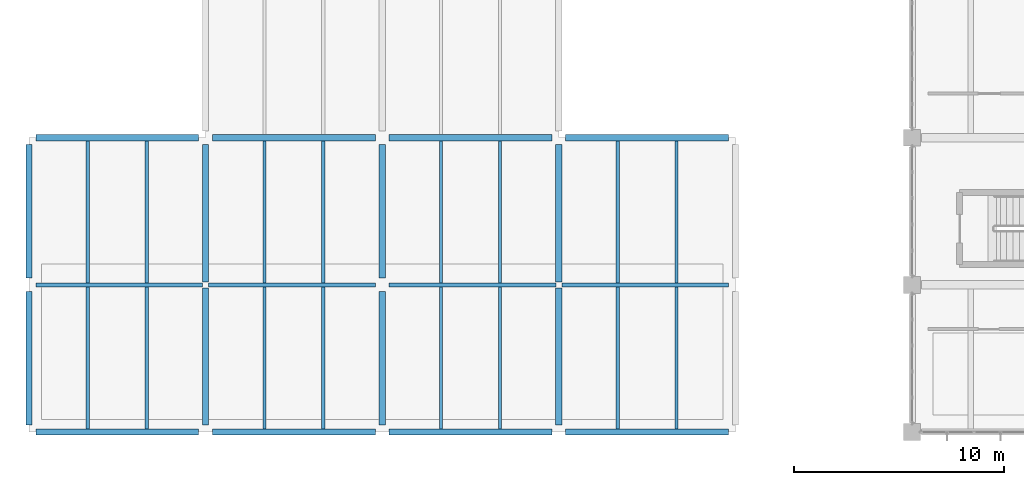
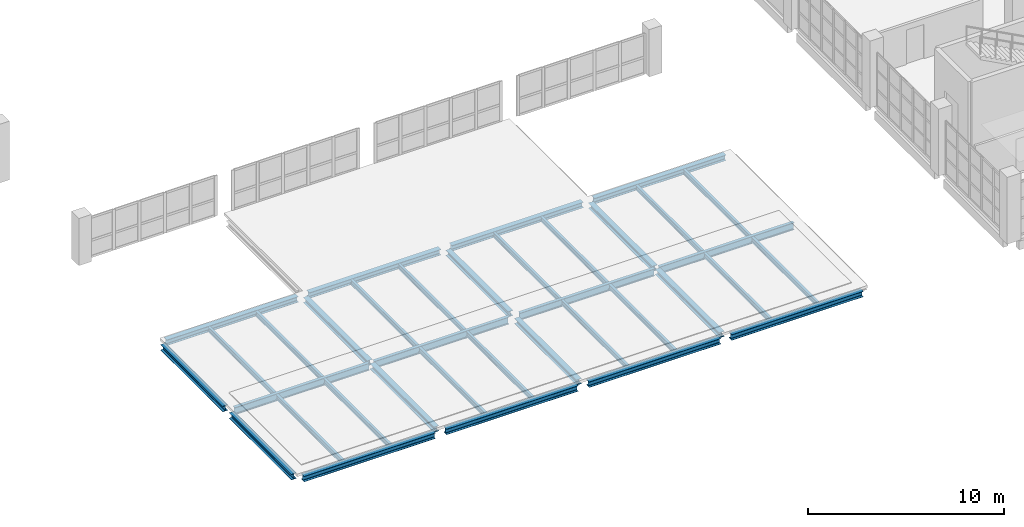
# One storey, part 8 of 177: 36 beams.
"""IFC4 building model written with IfcOpenShell, lengths in metres."""

from ifc_helpers import new_model, si_unit, direction, frame, origin, origin_2d, place, context, subcontext, project, spatial, i_section, extrude, material, material_profile, profile_set, type_object, element, save


model = new_model("IFC4")

# Units and contexts
model_context = context("Model", 3, precision=1e-05, world=origin(), true_north=direction((0.0, 1.0)))
body_context = subcontext(model_context, "Body", "Model", "MODEL_VIEW")
ifc_project = project(units=[si_unit("LENGTHUNIT", "METRE"), si_unit("AREAUNIT", "SQUARE_METRE"), si_unit("VOLUMEUNIT", "CUBIC_METRE"), si_unit("PLANEANGLEUNIT", "RADIAN"), si_unit("MASSUNIT", "GRAM", prefix="KILO"), si_unit("THERMODYNAMICTEMPERATUREUNIT", "KELVIN"), si_unit("POWERUNIT", "WATT")], contexts=[model_context])

# Site, building, storey
site_placement = place(None, origin())
site = spatial("IfcSite", under=ifc_project, at=site_placement, CompositionType="ELEMENT")
building_placement = place(site_placement, origin())
building = spatial("IfcBuilding", under=site, at=building_placement, Name="Mavoryth Pier Ferry Terminal", CompositionType="ELEMENT")
storey_placement = place(building_placement, frame((0.0, 0.0, 5.43994140625)))
storey = spatial("IfcBuildingStorey", under=building, at=storey_placement, Name="L01", CompositionType="ELEMENT", Elevation=5.43994140625)

# Beams
ifc_material = material(Name="Steel S355J2", Category="steel")
ifc_material_profile_1 = material_profile(ifc_material, i_section(OverallWidth=0.300048828125, OverallDepth=0.330078125, WebThickness=0.009521484375, FlangeThickness=0.0166015625, FilletRadius=0.027099609375, at=origin_2d()), Name="HEA 340", Category="steel")
ifc_profile_set_1 = profile_set([ifc_material_profile_1], Name="Steel S355J2 - HEA 340")
beam_type_1 = type_object("IfcBeamType", Name="Beam-Steel-HEA340", PredefinedType="BEAM", material=ifc_profile_set_1)
for number, where, z_axis, x_axis, name in (
    (1, (8.39990234375, 0.324951171875, -0.324951171875), (0.0, 1.0, 0.0), (-1.0, 0.0, 0.0), "Beam B01-SB05-0015"),
    (2, (8.39990234375, 7.139892578125, -0.324951171875), (0.0, 1.0, 0.0), (-1.0, 0.0, 0.0), "Beam B01-SB05-0016"),
):
    element("IfcBeam", number, at=place(storey_placement, frame(where, z_axis=z_axis, x_axis=x_axis)), inside=storey, type_object=beam_type_1, Name=name, PredefinedType="BEAM", context=body_context, shape_type="SweptSolid", body=[
        extrude(i_section(OverallWidth=0.300048828125, OverallDepth=0.330078125, WebThickness=0.009521484375, FlangeThickness=0.0166015625, FilletRadius=0.027099609375, at=origin_2d()), origin(), (0.0, 0.0, 1.0), 6.53515625),
    ])
for number, where, z_axis, x_axis, name in (
    (3, (16.800048828125, 0.324951171875, -0.324951171875), (0.0, 1.0, 0.0), (-1.0, 0.0, 0.0), "Beam B01-SB05-0017"),
    (4, (16.800048828125, 7.324951171875, -0.324951171875), (0.0, 1.0, 0.0), (-1.0, 0.0, 0.0), "Beam B01-SB05-0018"),
):
    element("IfcBeam", number, at=place(storey_placement, frame(where, z_axis=z_axis, x_axis=x_axis)), inside=storey, type_object=beam_type_1, Name=name, PredefinedType="BEAM", context=body_context, shape_type="SweptSolid", body=[
        extrude(i_section(OverallWidth=0.300048828125, OverallDepth=0.330078125, WebThickness=0.009521484375, FlangeThickness=0.0166015625, FilletRadius=0.027099609375, at=origin_2d()), origin(), (0.0, 0.0, 1.0), 6.35009765625),
    ])
for number, where, z_axis, x_axis, name in (
    (5, (25.199951171875, 0.324951171875, -0.324951171875), (0.0, 1.0, 0.0), (-1.0, 0.0, 0.0), "Beam B01-SB05-0019"),
    (6, (25.199951171875, 7.139892578125, -0.324951171875), (0.0, 1.0, 0.0), (-1.0, 0.0, 0.0), "Beam B01-SB05-0020"),
):
    element("IfcBeam", number, at=place(storey_placement, frame(where, z_axis=z_axis, x_axis=x_axis)), inside=storey, type_object=beam_type_1, Name=name, PredefinedType="BEAM", context=body_context, shape_type="SweptSolid", body=[
        extrude(i_section(OverallWidth=0.300048828125, OverallDepth=0.330078125, WebThickness=0.009521484375, FlangeThickness=0.0166015625, FilletRadius=0.027099609375, at=origin_2d()), origin(), (0.0, 0.0, 1.0), 6.53515625),
    ])
ifc_material_profile_2 = material_profile(ifc_material, i_section(OverallWidth=0.18994140625, OverallDepth=0.449951171875, WebThickness=0.009521484375, FlangeThickness=0.0146484375, FilletRadius=0.02099609375, at=origin_2d()), Name="IPE 450", Category="steel")
ifc_profile_set_2 = profile_set([ifc_material_profile_2], Name="Steel S355J2 - IPE 450")
beam_type_2 = type_object("IfcBeamType", Name="Beam-Steel-IPE450", PredefinedType="BEAM", material=ifc_profile_set_2)
for number, where, z_axis, x_axis, name in (
    (7, (0.324951171875, 7.0, -0.385009765625), (1.0, 0.0, 0.0), (0.0, 1.0, 0.0), "Beam B01-SB09-0005"),
    (8, (8.5400390625, 7.0, -0.385009765625), (1.0, 0.0, 0.0), (0.0, 1.0, 0.0), "Beam B01-SB09-0006"),
    (9, (17.125, 7.0, -0.385009765625), (1.0, 0.0, 0.0), (0.0, 1.0, 0.0), "Beam B01-SB09-0007"),
):
    element("IfcBeam", number, at=place(storey_placement, frame(where, z_axis=z_axis, x_axis=x_axis)), inside=storey, type_object=beam_type_2, Name=name, PredefinedType="BEAM", context=body_context, shape_type="SweptSolid", body=[
        extrude(i_section(OverallWidth=0.18994140625, OverallDepth=0.449951171875, WebThickness=0.009521484375, FlangeThickness=0.0146484375, FilletRadius=0.02099609375, at=origin_2d()), origin(), (0.0, 0.0, 1.0), 7.93505859375),
    ])
beam_placement = place(storey_placement, frame((25.340087890625, 7.0, -0.385009765625), z_axis=(1.0, 0.0, 0.0), x_axis=(0.0, 1.0, 0.0)))
element("IfcBeam", 10, at=beam_placement, inside=storey, type_object=beam_type_2, Name="Beam B01-SB09-0008", PredefinedType="BEAM", context=body_context, shape_type="SweptSolid", body=[
    extrude(i_section(OverallWidth=0.18994140625, OverallDepth=0.449951171875, WebThickness=0.009521484375, FlangeThickness=0.0146484375, FilletRadius=0.02099609375, at=origin_2d()), origin(), (0.0, 0.0, 1.0), 7.934814453125),
])
ifc_material_profile_3 = material_profile(ifc_material, i_section(OverallWidth=0.14990234375, OverallDepth=0.300048828125, WebThickness=0.007080078125, FlangeThickness=0.0107421875, FilletRadius=0.014892578125, at=origin_2d()), Name="IPE 300", Category="steel")
ifc_profile_set_3 = profile_set([ifc_material_profile_3], Name="Steel S355J2 - IPE 300")
beam_type_3 = type_object("IfcBeamType", Name="Joist-Steel-IPE300", PredefinedType="JOIST", material=ifc_profile_set_3)
for number, where, z_axis, x_axis, name in (
    (11, (2.800048828125, 0.14990234375, -0.31005859375), (0.0, 1.0, 0.0), (-1.0, 0.0, 0.0), "Beam B01-SJ04-0023"),
    (12, (5.60009765625, 0.14990234375, -0.31005859375), (0.0, 1.0, 0.0), (-1.0, 0.0, 0.0), "Beam B01-SJ04-0024"),
    (13, (2.800048828125, 7.094970703125, -0.31005859375), (0.0, 1.0, 0.0), (-1.0, 0.0, 0.0), "Beam B01-SJ04-0025"),
    (14, (5.60009765625, 7.094970703125, -0.31005859375), (0.0, 1.0, 0.0), (-1.0, 0.0, 0.0), "Beam B01-SJ04-0026"),
    (15, (11.199951171875, 0.14990234375, -0.31005859375), (0.0, 1.0, 0.0), (-1.0, 0.0, 0.0), "Beam B01-SJ04-0027"),
    (16, (14.0, 0.14990234375, -0.31005859375), (0.0, 1.0, 0.0), (-1.0, 0.0, 0.0), "Beam B01-SJ04-0028"),
    (17, (11.199951171875, 7.094970703125, -0.31005859375), (0.0, 1.0, 0.0), (-1.0, 0.0, 0.0), "Beam B01-SJ04-0029"),
    (18, (14.0, 7.094970703125, -0.31005859375), (0.0, 1.0, 0.0), (-1.0, 0.0, 0.0), "Beam B01-SJ04-0030"),
    (19, (19.60009765625, 0.14990234375, -0.31005859375), (0.0, 1.0, 0.0), (-1.0, 0.0, 0.0), "Beam B01-SJ04-0031"),
    (20, (22.39990234375, 0.14990234375, -0.31005859375), (0.0, 1.0, 0.0), (-1.0, 0.0, 0.0), "Beam B01-SJ04-0032"),
    (21, (19.60009765625, 7.094970703125, -0.31005859375), (0.0, 1.0, 0.0), (-1.0, 0.0, 0.0), "Beam B01-SJ04-0033"),
    (22, (22.39990234375, 7.094970703125, -0.31005859375), (0.0, 1.0, 0.0), (-1.0, 0.0, 0.0), "Beam B01-SJ04-0034"),
    (23, (28.0, 0.14990234375, -0.31005859375), (0.0, 1.0, 0.0), (-1.0, 0.0, 0.0), "Beam B01-SJ04-0035"),
    (24, (30.800048828125, 0.14990234375, -0.31005859375), (0.0, 1.0, 0.0), (-1.0, 0.0, 0.0), "Beam B01-SJ04-0036"),
    (25, (28.0, 7.094970703125, -0.31005859375), (0.0, 1.0, 0.0), (-1.0, 0.0, 0.0), "Beam B01-SJ04-0037"),
    (26, (30.800048828125, 7.094970703125, -0.31005859375), (0.0, 1.0, 0.0), (-1.0, 0.0, 0.0), "Beam B01-SJ04-0038"),
):
    element("IfcBeam", number, at=place(storey_placement, frame(where, z_axis=z_axis, x_axis=x_axis)), inside=storey, type_object=beam_type_3, Name=name, PredefinedType="JOIST", context=body_context, shape_type="SweptSolid", body=[
        extrude(i_section(OverallWidth=0.14990234375, OverallDepth=0.300048828125, WebThickness=0.007080078125, FlangeThickness=0.0107421875, FilletRadius=0.014892578125, at=origin_2d()), origin(), (0.0, 0.0, 1.0), 6.755126953125),
    ])
ifc_material_profile_4 = material_profile(ifc_material, i_section(OverallWidth=0.300048828125, OverallDepth=0.35009765625, WebThickness=0.010009765625, FlangeThickness=0.017578125, FilletRadius=0.027099609375, at=origin_2d()), Name="HEA 360", Category="steel")
ifc_profile_set_4 = profile_set([ifc_material_profile_4], Name="Steel S355J2 - HEA 360")
beam_type_4 = type_object("IfcBeamType", Name="Spandrel-Steel-HEA360", PredefinedType="SPANDREL", material=ifc_profile_set_4)
for number, where, z_axis, x_axis, name in (
    (27, (0.324951171875, 0.0, -0.3349609375), (1.0, 0.0, 0.0), (0.0, 1.0, 0.0), "Beam B01-SP03-0001"),
    (28, (8.72509765625, 0.0, -0.3349609375), (1.0, 0.0, 0.0), (0.0, 1.0, 0.0), "Beam B01-SP03-0002"),
    (29, (17.125, 0.0, -0.3349609375), (1.0, 0.0, 0.0), (0.0, 1.0, 0.0), "Beam B01-SP03-0003"),
    (30, (25.52490234375, 0.0, -0.3349609375), (1.0, 0.0, 0.0), (0.0, 1.0, 0.0), "Beam B01-SP03-0004"),
    (31, (0.324951171875, 14.0, -0.3349609375), (1.0, 0.0, 0.0), (0.0, 1.0, 0.0), "Beam B01-SP03-0009"),
    (32, (8.72509765625, 14.0, -0.3349609375), (1.0, 0.0, 0.0), (0.0, 1.0, 0.0), "Beam B01-SP03-0010"),
    (33, (17.125, 14.0, -0.3349609375), (1.0, 0.0, 0.0), (0.0, 1.0, 0.0), "Beam B01-SP03-0011"),
    (34, (25.52490234375, 14.0, -0.3349609375), (1.0, 0.0, 0.0), (0.0, 1.0, 0.0), "Beam B01-SP03-0012"),
):
    element("IfcBeam", number, at=place(storey_placement, frame(where, z_axis=z_axis, x_axis=x_axis)), inside=storey, type_object=beam_type_4, Name=name, PredefinedType="SPANDREL", context=body_context, shape_type="SweptSolid", body=[
        extrude(i_section(OverallWidth=0.300048828125, OverallDepth=0.35009765625, WebThickness=0.010009765625, FlangeThickness=0.017578125, FilletRadius=0.027099609375, at=origin_2d()), origin(), (0.0, 0.0, 1.0), 7.75),
    ])
for number, where, z_axis, x_axis, name in (
    (35, (0.0, 0.324951171875, -0.3349609375), (0.0, 1.0, 0.0), (-1.0, 0.0, 0.0), "Beam B01-SP03-0013"),
    (36, (0.0, 7.324951171875, -0.3349609375), (0.0, 1.0, 0.0), (-1.0, 0.0, 0.0), "Beam B01-SP03-0014"),
):
    element("IfcBeam", number, at=place(storey_placement, frame(where, z_axis=z_axis, x_axis=x_axis)), inside=storey, type_object=beam_type_4, Name=name, PredefinedType="SPANDREL", context=body_context, shape_type="SweptSolid", body=[
        extrude(i_section(OverallWidth=0.300048828125, OverallDepth=0.35009765625, WebThickness=0.010009765625, FlangeThickness=0.017578125, FilletRadius=0.027099609375, at=origin_2d()), origin(), (0.0, 0.0, 1.0), 6.35009765625),
    ])

save(model, "model.ifc")
